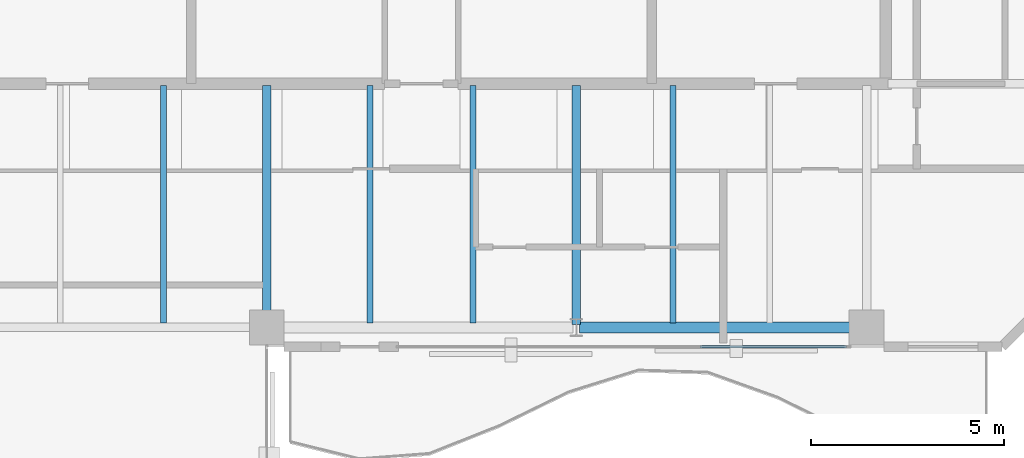
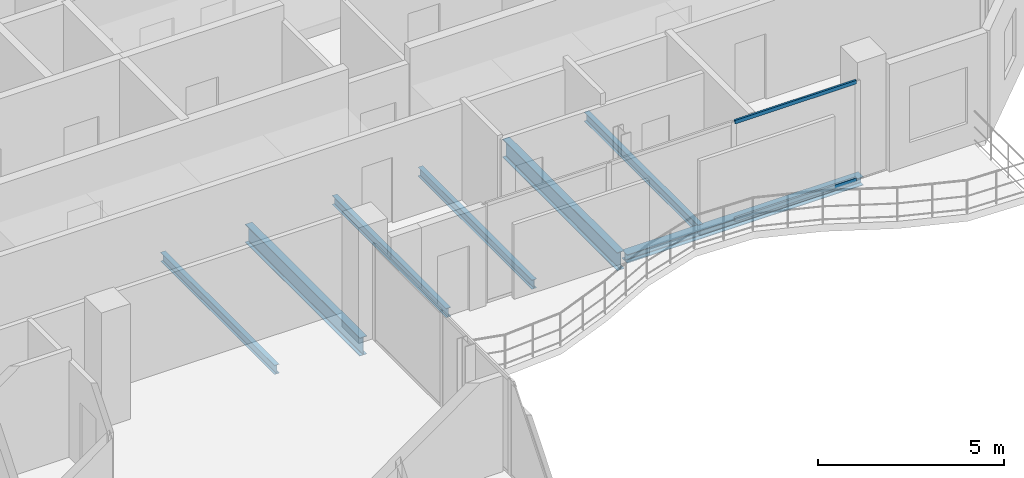
# One storey, part 13 of 23: 7 beams, 2 members, 1 element without a shape of its own.
"""IFC4 building model written with IfcOpenShell, lengths in metres."""

from ifc_helpers import new_model, si_unit, direction, frame, origin, origin_2d, place, context, subcontext, project, spatial, hollow_rectangle, i_section, extrude, material, layer, layer_set, material_profile, profile_set, type_object, element, aggregate, save


model = new_model("IFC4")

# Units and contexts
model_context = context("Model", 3, precision=1e-05, world=origin(), true_north=direction((0.0, 1.0)))
body_context = subcontext(model_context, "Body", "Model", "MODEL_VIEW")
ifc_project = project(units=[si_unit("LENGTHUNIT", "METRE"), si_unit("AREAUNIT", "SQUARE_METRE"), si_unit("VOLUMEUNIT", "CUBIC_METRE"), si_unit("PLANEANGLEUNIT", "RADIAN"), si_unit("MASSUNIT", "GRAM", prefix="KILO")], contexts=[model_context])

# Site, building, storey
site_placement = place(None, origin())
site = spatial("IfcSite", under=ifc_project, at=site_placement, CompositionType="ELEMENT")
building_placement = place(site_placement, origin())
building = spatial("IfcBuilding", under=site, at=building_placement, Name="Catumbela Crestline Tower", CompositionType="ELEMENT")
storey_placement = place(building_placement, frame((0.0, 0.0, 241.2)))
storey = spatial("IfcBuildingStorey", under=building, at=storey_placement, Name="L62", CompositionType="ELEMENT", Elevation=241.2)

# Beams
ifc_material_1 = material(Name="Structural steel S355J2", Category="steel")
ifc_material_profile_1 = material_profile(ifc_material_1, i_section(OverallWidth=0.22, OverallDepth=0.6, WebThickness=0.012, FlangeThickness=0.019, FilletRadius=0.024, at=origin_2d()), Name="IPE 600")
ifc_profile_set_1 = profile_set([ifc_material_profile_1], Name="Structural steel S355J2")
beam_type_1 = type_object("IfcBeamType", Name="BG-IPE600", PredefinedType="BEAM", material=ifc_profile_set_1)
for number, where, z_axis, x_axis, name in (
    (1, (24.0, 24.58, -0.56), (0.0, 1.0, 0.0), (-1.0, 0.0, 0.0), "L62 Beam BM-L62-SNS16"),
    (2, (32.0, 24.58, -0.56), (0.0, 1.0, 0.0), (-1.0, 0.0, 0.0), "L62 Beam BM-L62-SNS17"),
):
    element("IfcBeam", number, at=place(storey_placement, frame(where, z_axis=z_axis, x_axis=x_axis)), inside=storey, type_object=beam_type_1, Name=name, PredefinedType="BEAM", context=body_context, shape_type="SweptSolid", body=[
        extrude(i_section(OverallWidth=0.22, OverallDepth=0.6, WebThickness=0.012, FlangeThickness=0.019, FilletRadius=0.024, at=origin_2d()), origin(), (0.0, 0.0, 1.0), 6.17),
    ])
ifc_material_profile_2 = material_profile(ifc_material_1, i_section(OverallWidth=0.15, OverallDepth=0.3, WebThickness=0.0071, FlangeThickness=0.0107, FilletRadius=0.015, at=origin_2d()), Name="IPE 300")
ifc_profile_set_2 = profile_set([ifc_material_profile_2], Name="Structural steel S355J2")
beam_type_2 = type_object("IfcBeamType", Name="BJ-IPE300", PredefinedType="JOIST", material=ifc_profile_set_2)
for number, where, z_axis, x_axis, name in (
    (3, (21.333, 24.61, -0.41), (0.0, 1.0, 0.0), (-1.0, 0.0, 0.0), "L62 Joist JS-L62-SP22"),
    (4, (26.667, 24.61, -0.41), (0.0, 1.0, 0.0), (-1.0, 0.0, 0.0), "L62 Joist JS-L62-SP23"),
    (5, (29.333, 24.61, -0.41), (0.0, 1.0, 0.0), (-1.0, 0.0, 0.0), "L62 Joist JS-L62-SP24"),
    (6, (34.5, 24.61, -0.41), (0.0, 1.0, 0.0), (-1.0, 0.0, 0.0), "L62 Joist JS-L62-SP25"),
):
    element("IfcBeam", number, at=place(storey_placement, frame(where, z_axis=z_axis, x_axis=x_axis)), inside=storey, type_object=beam_type_2, Name=name, PredefinedType="JOIST", context=body_context, shape_type="SweptSolid", body=[
        extrude(i_section(OverallWidth=0.15, OverallDepth=0.3, WebThickness=0.0071, FlangeThickness=0.0107, FilletRadius=0.015, at=origin_2d()), origin(), (0.0, 0.0, 1.0), 6.14),
    ])
ifc_material_profile_3 = material_profile(ifc_material_1, i_section(OverallWidth=0.28, OverallDepth=0.28, WebThickness=0.0105, FlangeThickness=0.018, FilletRadius=0.024, at=origin_2d()), Name="HEB 280")
ifc_profile_set_3 = profile_set([ifc_material_profile_3], Name="Structural steel S355J2")
beam_type_3 = type_object("IfcBeamType", Name="BS-HEB280", PredefinedType="SPANDREL", material=ifc_profile_set_3)
beam_placement = place(storey_placement, frame((32.08, 24.5, -0.4), z_axis=(1.0, 0.0, 0.0), x_axis=(0.0, 1.0, 0.0)))
element("IfcBeam", 7, at=beam_placement, inside=storey, type_object=beam_type_3, Name="L62 Spandrel SP-L62-S05", PredefinedType="SPANDREL", context=body_context, shape_type="SweptSolid", body=[
    extrude(i_section(OverallWidth=0.28, OverallDepth=0.28, WebThickness=0.0105, FlangeThickness=0.018, FilletRadius=0.024, at=origin_2d()), origin(), (0.0, 0.0, 1.0), 7.34),
])

# Curtain wall, members
ifc_material_2 = material(Name="Aluminium alloy AW-6060-T66", Category="aluminium")
ifc_layer = layer(ifc_material_2, 0.18, Name="Aluminium alloy AW-6060-T66")
ifc_layer_set = layer_set([ifc_layer], Name="Aluminium alloy AW-6060-T66")
curtain_wall_type = type_object("IfcCurtainWallType", Name="CWU-Z4", PredefinedType="USERDEFINED", material=ifc_layer_set)
curtain_wall_placement = place(storey_placement, origin())
curtain_wall = element("IfcCurtainWall", 8, at=curtain_wall_placement, inside=storey, type_object=curtain_wall_type, Name="L62 Unitised Curtain Wall CW-L62-E3S2", ObjectType="UNITISED", PredefinedType="USERDEFINED")
ifc_material_profile_4 = material_profile(ifc_material_2, hollow_rectangle(XDim=0.06, YDim=0.12, WallThickness=0.0035, at=origin_2d()), Name="ALU 120x60x3.5")
ifc_profile_set_4 = profile_set([ifc_material_profile_4], Name="Aluminium alloy AW-6060-T66")
member_type = type_object("IfcMemberType", Name="TRN-120X60", PredefinedType="USERDEFINED", material=ifc_profile_set_4)
member_1_placement = place(storey_placement, frame((35.1992, 24.0, 0.03), z_axis=(1.0, 0.0, 0.0), x_axis=(0.0, 1.0, 0.0)))
member_1 = element("IfcMember", 9, at=member_1_placement, type_object=member_type, Name="CWU-Z4 transom 3.1", ObjectType="TRANSOM", PredefinedType="USERDEFINED", context=body_context, shape_type="SweptSolid", body=[
    extrude(hollow_rectangle(XDim=0.06, YDim=0.12, WallThickness=0.0035, at=origin_2d()), origin(), (0.0, 0.0, 1.0), 3.7858),
])
member_2_placement = place(storey_placement, frame((35.1992, 24.0, 3.24), z_axis=(1.0, 0.0, 0.0), x_axis=(0.0, 1.0, 0.0)))
member_2 = element("IfcMember", 10, at=member_2_placement, type_object=member_type, Name="CWU-Z4 transom 3.2", ObjectType="TRANSOM", PredefinedType="USERDEFINED", context=body_context, shape_type="SweptSolid", body=[
    extrude(hollow_rectangle(XDim=0.06, YDim=0.12, WallThickness=0.0035, at=origin_2d()), origin(), (0.0, 0.0, 1.0), 3.7858),
])
aggregate(curtain_wall, [member_1, member_2])

save(model, "model.ifc")
